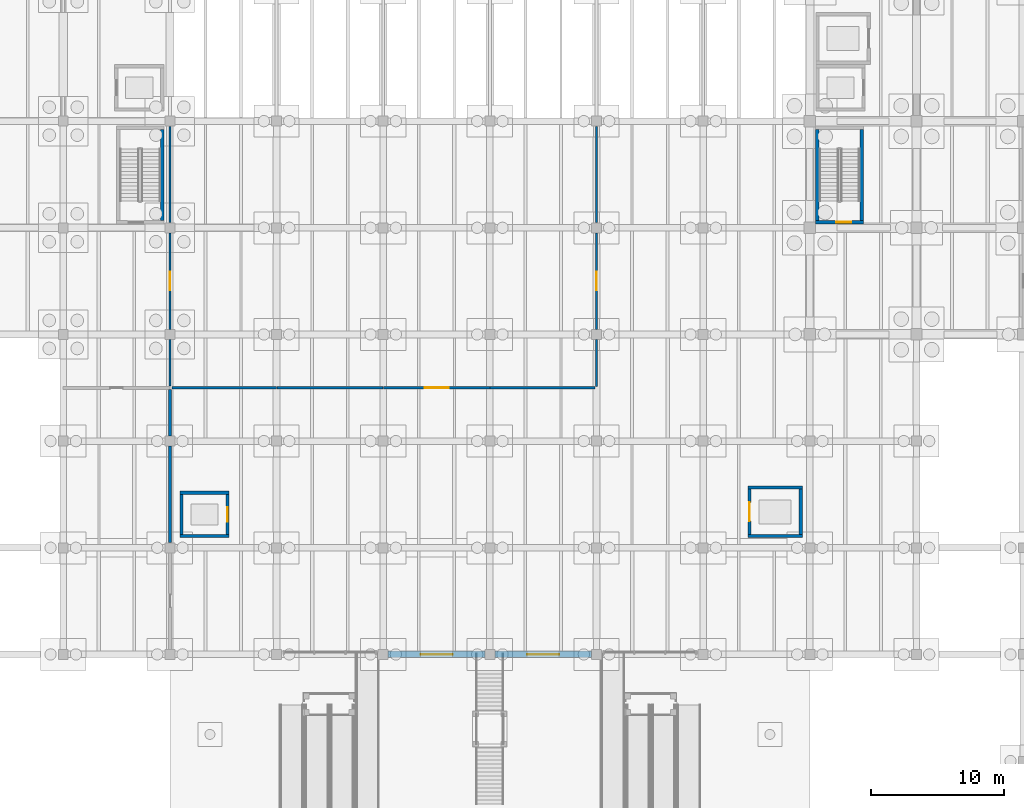
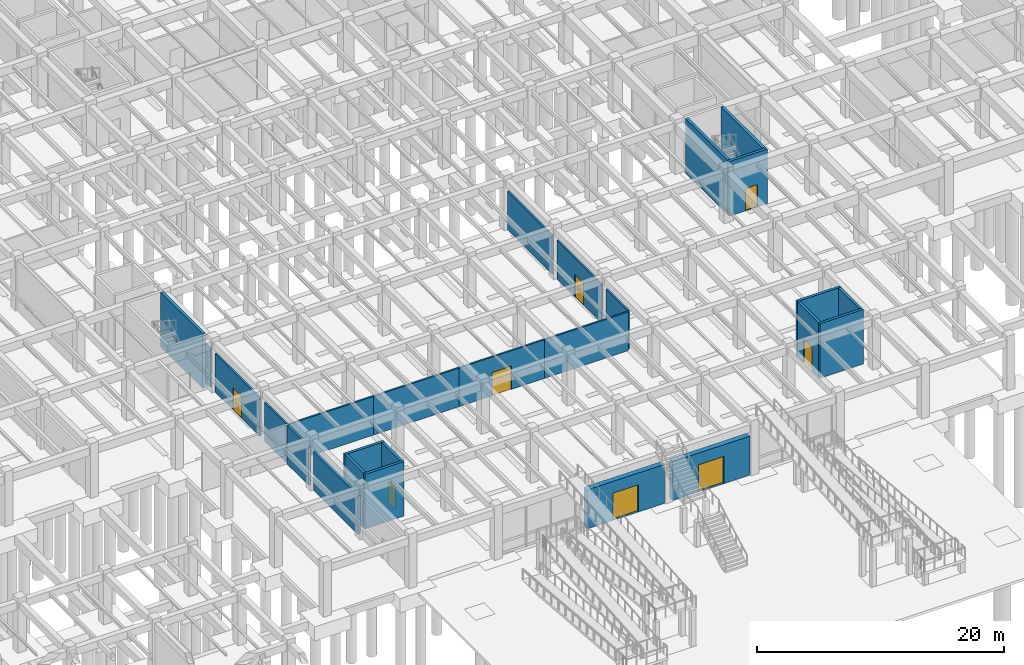
# One storey, part 25 of 44: 26 walls, 8 doors, 8 openings.
"""IFC4 building model written with IfcOpenShell, lengths in metres."""

from ifc_helpers import new_model, si_unit, direction, frame, frame_2d, origin, place, context, subcontext, project, spatial, rectangle, extrude, material, layer, layer_set, type_object, element, fill, save


model = new_model("IFC4")

# Units and contexts
model_context = context("Model", 3, precision=1e-05, world=origin(), true_north=direction((0.0, 1.0)))
body_context = subcontext(model_context, "Body", "Model", "MODEL_VIEW")
ifc_project = project(units=[si_unit("LENGTHUNIT", "METRE"), si_unit("AREAUNIT", "SQUARE_METRE"), si_unit("VOLUMEUNIT", "CUBIC_METRE"), si_unit("PLANEANGLEUNIT", "RADIAN"), si_unit("MASSUNIT", "GRAM", prefix="KILO")], contexts=[model_context])

# Site, building, storey
site_placement = place(None, origin())
site = spatial("IfcSite", under=ifc_project, at=site_placement, CompositionType="ELEMENT")
building_placement = place(site_placement, origin())
building = spatial("IfcBuilding", under=site, at=building_placement, Name="Pecanmere Concourse Central Library", CompositionType="ELEMENT")
storey_placement = place(building_placement, frame((0.0, 0.0, -5.39990234375)))
storey = spatial("IfcBuildingStorey", under=building, at=storey_placement, Name="B1", CompositionType="ELEMENT", Elevation=-5.39990234375)

# Wall, opening, door
ifc_material_1 = material(Name="Texas sunset granite ashlar", Category="masonry")
ifc_layer_1 = layer(ifc_material_1, 0.47998046875, Name="EW_GRAN_480")
ifc_layer_set_1 = layer_set([ifc_layer_1], Name="Texas sunset granite ashlar")
wall_type_1 = type_object("IfcWallType", Name="EW_GRAN_480", PredefinedType="STANDARD", material=ifc_layer_set_1)
wall_1_placement = place(storey_placement, frame((80.3701171875, 24.0, 0.0), z_axis=(0.0, 0.0, 1.0), x_axis=(1.0, 0.0, 0.0)))
wall_1 = element("IfcWall", 1, at=wall_1_placement, inside=storey, type_object=wall_type_1, Name="Limestone Facade Wall B1-0004", PredefinedType="STANDARD", context=body_context, shape_type="SweptSolid", body=[
    extrude(rectangle(XDim=7.259765625, YDim=0.47998046875, at=frame_2d((3.6298828125, 0.0))), origin(), (0.0, 0.0, 1.0), 3.85986328125),
])
opening_1_placement = place(wall_1_placement, frame((2.429931640625, 0.0, 0.0)))
opening_1 = element("IfcOpeningElement", 2, at=opening_1_placement, cuts=wall_1, Name="Opening ED-01", PredefinedType="OPENING", context=body_context, shape_type="SweptSolid", body=[
    extrude(rectangle(XDim=2.39990234375, YDim=2.699951171875, at=frame_2d((1.199951171875, 1.35009765625))), frame((0.0, 0.251953125, 0.0), z_axis=(0.0, -1.0, 0.0), x_axis=(1.0, 0.0, 0.0)), (0.0, 0.0, 1.0), 0.50390625),
])
ifc_material_2 = material(Name="Architectural anodized bronze")
door_type_1 = type_object("IfcDoorType", Name="ED-01", OperationType="DOUBLE_DOOR_SINGLE_SWING", PredefinedType="DOOR", material=ifc_material_2)
door_1_placement = place(opening_1_placement, frame((2.39990234375, 0.0, 0.0), z_axis=(0.0, 0.0, 1.0), x_axis=(-1.0, 0.0, 0.0)))
door_1 = element("IfcDoor", 3, at=door_1_placement, inside=storey, type_object=door_type_1, Name="ED-004", OperationType="DOUBLE_DOOR_SINGLE_SWING", OverallHeight=2.699951171875, OverallWidth=2.39990234375, PredefinedType="DOOR", context=body_context, shape_type="SweptSolid", body=[
    extrude(rectangle(XDim=2.39990234375, YDim=2.699951171875, at=frame_2d((1.199951171875, 1.35009765625))), frame((0.0, 0.02490234375, 0.0), z_axis=(0.0, -1.0, 0.0), x_axis=(1.0, 0.0, 0.0)), (0.0, 0.0, 1.0), 0.050048828125),
])
fill(opening_1, door_1)

wall_2_placement = place(storey_placement, frame((88.3701171875, 24.0, 0.0), z_axis=(0.0, 0.0, 1.0), x_axis=(1.0, 0.0, 0.0)))
wall_2 = element("IfcWall", 4, at=wall_2_placement, inside=storey, type_object=wall_type_1, Name="Limestone Facade Wall B1-0005", PredefinedType="STANDARD", context=body_context, shape_type="SweptSolid", body=[
    extrude(rectangle(XDim=7.259765625, YDim=0.47998046875, at=frame_2d((3.6298828125, 0.0))), origin(), (0.0, 0.0, 1.0), 3.85986328125),
])
opening_2_placement = place(wall_2_placement, frame((2.429931640625, 0.0, 0.0)))
opening_2 = element("IfcOpeningElement", 5, at=opening_2_placement, cuts=wall_2, Name="Opening ED-01", PredefinedType="OPENING", context=body_context, shape_type="SweptSolid", body=[
    extrude(rectangle(XDim=2.39990234375, YDim=2.699951171875, at=frame_2d((1.199951171875, 1.35009765625))), frame((0.0, 0.251953125, 0.0), z_axis=(0.0, -1.0, 0.0), x_axis=(1.0, 0.0, 0.0)), (0.0, 0.0, 1.0), 0.50390625),
])
door_2_placement = place(opening_2_placement, frame((2.39990234375, 0.0, 0.0), z_axis=(0.0, 0.0, 1.0), x_axis=(-1.0, 0.0, 0.0)))
door_2 = element("IfcDoor", 6, at=door_2_placement, inside=storey, type_object=door_type_1, Name="ED-005", OperationType="DOUBLE_DOOR_SINGLE_SWING", OverallHeight=2.699951171875, OverallWidth=2.39990234375, PredefinedType="DOOR", context=body_context, shape_type="SweptSolid", body=[
    extrude(rectangle(XDim=2.39990234375, YDim=2.699951171875, at=frame_2d((1.199951171875, 1.35009765625))), frame((0.0, 0.02490234375, 0.0), z_axis=(0.0, -1.0, 0.0), x_axis=(1.0, 0.0, 0.0)), (0.0, 0.0, 1.0), 0.050048828125),
])
fill(opening_2, door_2)

# Walls
ifc_material_3 = material(Name="Fire-rated gypsum board on acoustic steel stud", Category="steel")
ifc_layer_2 = layer(ifc_material_3, 0.159912109375, Name="IW_PART_160")
ifc_layer_set_2 = layer_set([ifc_layer_2], Name="Fire-rated gypsum board on acoustic steel stud")
wall_type_2 = type_object("IfcWallType", Name="IW_PART_160", PredefinedType="PARTITIONING", material=ifc_layer_set_2)
wall_3_placement = place(storey_placement, frame((64.139892578125, 44.0, 0.0), z_axis=(0.0, 0.0, 1.0), x_axis=(1.0, 0.0, 0.0)))
element("IfcWall", 7, at=wall_3_placement, inside=storey, type_object=wall_type_2, Name="Interior Partition B1-0050", PredefinedType="PARTITIONING", context=body_context, shape_type="SweptSolid", body=[
    extrude(rectangle(XDim=7.860107421875, YDim=0.159912109375, at=frame_2d((3.93017578125, 0.0))), origin(), (0.0, 0.0, 1.0), 3.829833984375),
])
wall_4_placement = place(storey_placement, frame((72.02001953125, 44.0, 0.0), z_axis=(0.0, 0.0, 1.0), x_axis=(1.0, 0.0, 0.0)))
element("IfcWall", 8, at=wall_4_placement, inside=storey, type_object=wall_type_2, Name="Interior Partition B1-0051", PredefinedType="PARTITIONING", context=body_context, shape_type="SweptSolid", body=[
    extrude(rectangle(XDim=7.97998046875, YDim=0.159912109375, at=frame_2d((3.989990234375, 0.0))), origin(), (0.0, 0.0, 1.0), 3.829833984375),
])

# Wall, opening, door
wall_5_placement = place(storey_placement, frame((80.02001953125, 44.0, 0.0), z_axis=(0.0, 0.0, 1.0), x_axis=(1.0, 0.0, 0.0)))
wall_5 = element("IfcWall", 9, at=wall_5_placement, inside=storey, type_object=wall_type_2, Name="Interior Partition B1-0052", PredefinedType="PARTITIONING", context=body_context, shape_type="SweptSolid", body=[
    extrude(rectangle(XDim=7.97998046875, YDim=0.159912109375, at=frame_2d((3.989990234375, 0.0))), origin(), (0.0, 0.0, 1.0), 3.829833984375),
])
opening_3_placement = place(wall_5_placement, frame((3.090087890625, 0.0, 0.0)))
opening_3 = element("IfcOpeningElement", 10, at=opening_3_placement, cuts=wall_5, Name="Opening DT-01", PredefinedType="OPENING", context=body_context, shape_type="SweptSolid", body=[
    extrude(rectangle(XDim=1.800048828125, YDim=2.300048828125, at=frame_2d((0.89990234375, 1.14990234375))), frame((0.0, 0.091796875, 0.0), z_axis=(0.0, -1.0, 0.0), x_axis=(1.0, 0.0, 0.0)), (0.0, 0.0, 1.0), 0.183837890625),
])
ifc_material_4 = material(Name="Solid white oak architectural joinery")
door_type_2 = type_object("IfcDoorType", Name="DT-01", OperationType="DOUBLE_DOOR_SINGLE_SWING", PredefinedType="DOOR", material=ifc_material_4)
door_3_placement = place(opening_3_placement, origin())
door_3 = element("IfcDoor", 11, at=door_3_placement, inside=storey, type_object=door_type_2, Name="D-142", OperationType="DOUBLE_DOOR_SINGLE_SWING", OverallHeight=2.300048828125, OverallWidth=1.800048828125, PredefinedType="DOOR", context=body_context, shape_type="SweptSolid", body=[
    extrude(rectangle(XDim=1.800048828125, YDim=2.300048828125, at=frame_2d((0.89990234375, 1.14990234375))), frame((0.0, 0.02490234375, 0.0), z_axis=(0.0, -1.0, 0.0), x_axis=(1.0, 0.0, 0.0)), (0.0, 0.0, 1.0), 0.050048828125),
])
fill(opening_3, door_3)

# Walls
wall_6_placement = place(storey_placement, frame((88.02001953125, 44.0, 0.0), z_axis=(0.0, 0.0, 1.0), x_axis=(1.0, 0.0, 0.0)))
element("IfcWall", 12, at=wall_6_placement, inside=storey, type_object=wall_type_2, Name="Interior Partition B1-0053", PredefinedType="PARTITIONING", context=body_context, shape_type="SweptSolid", body=[
    extrude(rectangle(XDim=7.85986328125, YDim=0.159912109375, at=frame_2d((3.929931640625, 0.0))), origin(), (0.0, 0.0, 1.0), 3.829833984375),
])
wall_7_placement = place(storey_placement, frame((64.0, 44.139892578125, 0.0), z_axis=(0.0, 0.0, 1.0), x_axis=(0.0, 1.0, 0.0)))
element("IfcWall", 13, at=wall_7_placement, inside=storey, type_object=wall_type_2, Name="Interior Partition B1-0054", PredefinedType="PARTITIONING", context=body_context, shape_type="SweptSolid", body=[
    extrude(rectangle(XDim=3.47509765625, YDim=0.159912109375, at=frame_2d((1.737548828125, 0.0))), origin(), (0.0, 0.0, 1.0), 3.829833984375),
])

# Wall, opening, door
wall_8_placement = place(storey_placement, frame((64.0, 48.385009765625, 0.0), z_axis=(0.0, 0.0, 1.0), x_axis=(0.0, 1.0, 0.0)))
wall_8 = element("IfcWall", 14, at=wall_8_placement, inside=storey, type_object=wall_type_2, Name="Interior Partition B1-0055", PredefinedType="PARTITIONING", context=body_context, shape_type="SweptSolid", body=[
    extrude(rectangle(XDim=7.22998046875, YDim=0.159912109375, at=frame_2d((3.614990234375, 0.0))), origin(), (0.0, 0.0, 1.0), 3.829833984375),
])
opening_4_placement = place(wall_8_placement, frame((2.9150390625, 0.0, 0.0)))
opening_4 = element("IfcOpeningElement", 15, at=opening_4_placement, cuts=wall_8, Name="Opening FD-05", PredefinedType="OPENING", context=body_context, shape_type="SweptSolid", body=[
    extrude(rectangle(XDim=1.39990234375, YDim=2.199951171875, at=frame_2d((0.699951171875, 1.10009765625))), frame((0.0, 0.091796875, 0.0), z_axis=(0.0, -1.0, 0.0), x_axis=(1.0, 0.0, 0.0)), (0.0, 0.0, 1.0), 0.183837890625),
])
ifc_material_5 = material(Name="Painted architectural steel ASTM A36", Category="steel")
door_type_3 = type_object("IfcDoorType", Name="FD-05", OperationType="DOUBLE_DOOR_SINGLE_SWING", PredefinedType="DOOR", material=ifc_material_5)
door_4_placement = place(opening_4_placement, frame((1.39990234375, 0.0, 0.0), z_axis=(0.0, 0.0, 1.0), x_axis=(-1.0, 0.0, 0.0)))
door_4 = element("IfcDoor", 16, at=door_4_placement, inside=storey, type_object=door_type_3, Name="D-143", OperationType="DOUBLE_DOOR_SINGLE_SWING", OverallHeight=2.199951171875, OverallWidth=1.39990234375, PredefinedType="DOOR", context=body_context, shape_type="SweptSolid", body=[
    extrude(rectangle(XDim=1.39990234375, YDim=2.199951171875, at=frame_2d((0.699951171875, 1.10009765625))), frame((0.0, 0.02490234375, 0.0), z_axis=(0.0, -1.0, 0.0), x_axis=(1.0, 0.0, 0.0)), (0.0, 0.0, 1.0), 0.050048828125),
])
fill(opening_4, door_4)

# Walls
wall_9_placement = place(storey_placement, frame((64.0, 56.385009765625, 0.0), z_axis=(0.0, 0.0, 1.0), x_axis=(0.0, 1.0, 0.0)))
element("IfcWall", 17, at=wall_9_placement, inside=storey, type_object=wall_type_2, Name="Interior Partition B1-0056", PredefinedType="PARTITIONING", context=body_context, shape_type="SweptSolid", body=[
    extrude(rectangle(XDim=7.22998046875, YDim=0.159912109375, at=frame_2d((3.614990234375, 0.0))), origin(), (0.0, 0.0, 1.0), 3.829833984375),
])
wall_10_placement = place(storey_placement, frame((96.0, 44.090087890625, 0.0), z_axis=(0.0, 0.0, 1.0), x_axis=(0.0, 1.0, 0.0)))
element("IfcWall", 18, at=wall_10_placement, inside=storey, type_object=wall_type_2, Name="Interior Partition B1-0057", PredefinedType="PARTITIONING", context=body_context, shape_type="SweptSolid", body=[
    extrude(rectangle(XDim=3.52490234375, YDim=0.159912109375, at=frame_2d((1.762451171875, 0.0))), origin(), (0.0, 0.0, 1.0), 3.829833984375),
])

# Wall, opening, door
wall_11_placement = place(storey_placement, frame((96.0, 48.385009765625, 0.0), z_axis=(0.0, 0.0, 1.0), x_axis=(0.0, 1.0, 0.0)))
wall_11 = element("IfcWall", 19, at=wall_11_placement, inside=storey, type_object=wall_type_2, Name="Interior Partition B1-0058", PredefinedType="PARTITIONING", context=body_context, shape_type="SweptSolid", body=[
    extrude(rectangle(XDim=7.22998046875, YDim=0.159912109375, at=frame_2d((3.614990234375, 0.0))), origin(), (0.0, 0.0, 1.0), 3.829833984375),
])
opening_5_placement = place(wall_11_placement, frame((2.9150390625, 0.0, 0.0)))
opening_5 = element("IfcOpeningElement", 20, at=opening_5_placement, cuts=wall_11, Name="Opening FD-05", PredefinedType="OPENING", context=body_context, shape_type="SweptSolid", body=[
    extrude(rectangle(XDim=1.39990234375, YDim=2.199951171875, at=frame_2d((0.699951171875, 1.10009765625))), frame((0.0, 0.091796875, 0.0), z_axis=(0.0, -1.0, 0.0), x_axis=(1.0, 0.0, 0.0)), (0.0, 0.0, 1.0), 0.183837890625),
])
door_5_placement = place(opening_5_placement, origin())
door_5 = element("IfcDoor", 21, at=door_5_placement, inside=storey, type_object=door_type_3, Name="D-144", OperationType="DOUBLE_DOOR_SINGLE_SWING", OverallHeight=2.199951171875, OverallWidth=1.39990234375, PredefinedType="DOOR", context=body_context, shape_type="SweptSolid", body=[
    extrude(rectangle(XDim=1.39990234375, YDim=2.199951171875, at=frame_2d((0.699951171875, 1.10009765625))), frame((0.0, 0.02490234375, 0.0), z_axis=(0.0, -1.0, 0.0), x_axis=(1.0, 0.0, 0.0)), (0.0, 0.0, 1.0), 0.050048828125),
])
fill(opening_5, door_5)

# Walls
wall_12_placement = place(storey_placement, frame((96.0, 56.385009765625, 0.0), z_axis=(0.0, 0.0, 1.0), x_axis=(0.0, 1.0, 0.0)))
element("IfcWall", 22, at=wall_12_placement, inside=storey, type_object=wall_type_2, Name="Interior Partition B1-0059", PredefinedType="PARTITIONING", context=body_context, shape_type="SweptSolid", body=[
    extrude(rectangle(XDim=7.22998046875, YDim=0.159912109375, at=frame_2d((3.614990234375, 0.0))), origin(), (0.0, 0.0, 1.0), 3.829833984375),
])
ifc_material_6 = material(Name="Concrete masonry unit ASTM C90", Category="masonry")
ifc_layer_3 = layer(ifc_material_6, 0.22509765625, Name="IW_PLUMB_225")
ifc_layer_set_3 = layer_set([ifc_layer_3], Name="Concrete masonry unit ASTM C90")
wall_type_3 = type_object("IfcWallType", Name="IW_PLUMB_225", PredefinedType="PARTITIONING", material=ifc_layer_set_3)
wall_13_placement = place(storey_placement, frame((64.0, 32.385009765625, 0.0), z_axis=(0.0, 0.0, 1.0), x_axis=(0.0, 1.0, 0.0)))
element("IfcWall", 23, at=wall_13_placement, inside=storey, type_object=wall_type_3, Name="Interior Partition B1-0048", PredefinedType="PARTITIONING", context=body_context, shape_type="SweptSolid", body=[
    extrude(rectangle(XDim=7.22998046875, YDim=0.22509765625, at=frame_2d((3.614990234375, 0.0))), origin(), (0.0, 0.0, 1.0), 3.829833984375),
])
wall_14_placement = place(storey_placement, frame((64.0, 40.385009765625, 0.0), z_axis=(0.0, 0.0, 1.0), x_axis=(0.0, 1.0, 0.0)))
element("IfcWall", 24, at=wall_14_placement, inside=storey, type_object=wall_type_3, Name="Interior Partition B1-0049", PredefinedType="PARTITIONING", context=body_context, shape_type="SweptSolid", body=[
    extrude(rectangle(XDim=3.47509765625, YDim=0.22509765625, at=frame_2d((1.737548828125, 0.0))), origin(), (0.0, 0.0, 1.0), 3.829833984375),
])
ifc_material_7 = material(Name="Concrete C40/50", Category="concrete")
ifc_layer_4 = layer(ifc_material_7, 0.239990234375, Name="WALL_SLD_240")
ifc_layer_set_4 = layer_set([ifc_layer_4], Name="Concrete C40/50")
wall_type_4 = type_object("IfcWallType", Name="WALL_SLD_240", PredefinedType="SOLIDWALL", material=ifc_layer_set_4)
for number, where, z_axis, x_axis, name in (
    (25, (64.760009765625, 32.8798828125, 0.0), (0.0, 0.0, 1.0), (1.0, 0.0, 0.0), "Hoistway Wall LP-05 B1-S"),
    (26, (64.760009765625, 36.1201171875, 0.0), (0.0, 0.0, 1.0), (1.0, 0.0, 0.0), "Hoistway Wall LP-05 B1-N"),
):
    element("IfcWall", number, at=place(storey_placement, frame(where, z_axis=z_axis, x_axis=x_axis)), inside=storey, type_object=wall_type_4, Name=name, PredefinedType="SOLIDWALL", context=body_context, shape_type="SweptSolid", body=[
        extrude(rectangle(XDim=3.679931640625, YDim=0.239990234375, at=frame_2d((1.83984375, 0.0))), origin(), (0.0, 0.0, 1.0), 5.39990234375),
    ])
wall_15_placement = place(storey_placement, frame((64.8798828125, 33.0, 0.0), z_axis=(0.0, 0.0, 1.0), x_axis=(0.0, 1.0, 0.0)))
element("IfcWall", 27, at=wall_15_placement, inside=storey, type_object=wall_type_4, Name="Hoistway Wall LP-05 B1-W", PredefinedType="SOLIDWALL", context=body_context, shape_type="SweptSolid", body=[
    extrude(rectangle(XDim=3.0, YDim=0.239990234375, at=frame_2d((1.5, 0.0))), origin(), (0.0, 0.0, 1.0), 5.39990234375),
])

# Wall, opening, door
wall_16_placement = place(storey_placement, frame((68.320068359375, 33.0, 0.0), z_axis=(0.0, 0.0, 1.0), x_axis=(0.0, 1.0, 0.0)))
wall_16 = element("IfcWall", 28, at=wall_16_placement, inside=storey, type_object=wall_type_4, Name="Hoistway Wall LP-05 B1-E", PredefinedType="SOLIDWALL", context=body_context, shape_type="SweptSolid", body=[
    extrude(rectangle(XDim=3.0, YDim=0.239990234375, at=frame_2d((1.5, 0.0))), origin(), (0.0, 0.0, 1.0), 5.39990234375),
])
opening_6_placement = place(wall_16_placement, frame((0.949951171875, 0.0, 0.0)))
opening_6 = element("IfcOpeningElement", 29, at=opening_6_placement, cuts=wall_16, Name="Opening LD-01", PredefinedType="OPENING", context=body_context, shape_type="SweptSolid", body=[
    extrude(rectangle(XDim=1.10009765625, YDim=2.199951171875, at=frame_2d((0.550048828125, 1.10009765625))), frame((0.0, 0.1318359375, 0.0), z_axis=(0.0, -1.0, 0.0), x_axis=(1.0, 0.0, 0.0)), (0.0, 0.0, 1.0), 0.263916015625),
])
ifc_material_8 = material(Name="Brushed stainless steel Grade 316", Category="steel")
door_type_4 = type_object("IfcDoorType", Name="LD-01", OperationType="DOUBLE_DOOR_SLIDING", PredefinedType="DOOR", material=ifc_material_8)
door_6_placement = place(opening_6_placement, origin())
door_6 = element("IfcDoor", 30, at=door_6_placement, inside=storey, type_object=door_type_4, Name="LD-LP-05-B1", OperationType="DOUBLE_DOOR_SLIDING", OverallHeight=2.199951171875, OverallWidth=1.10009765625, PredefinedType="DOOR", context=body_context, shape_type="SweptSolid", body=[
    extrude(rectangle(XDim=1.10009765625, YDim=2.199951171875, at=frame_2d((0.550048828125, 1.10009765625))), frame((0.0, 0.02490234375, 0.0), z_axis=(0.0, -1.0, 0.0), x_axis=(1.0, 0.0, 0.0)), (0.0, 0.0, 1.0), 0.050048828125),
])
fill(opening_6, door_6)

# Walls
for number, where, z_axis, x_axis, name in (
    (31, (107.360107421875, 32.8798828125, 0.0), (0.0, 0.0, 1.0), (1.0, 0.0, 0.0), "Hoistway Wall LS-02 B1-S"),
    (32, (107.360107421875, 36.52001953125, 0.0), (0.0, 0.0, 1.0), (1.0, 0.0, 0.0), "Hoistway Wall LS-02 B1-N"),
):
    element("IfcWall", number, at=place(storey_placement, frame(where, z_axis=z_axis, x_axis=x_axis)), inside=storey, type_object=wall_type_4, Name=name, PredefinedType="SOLIDWALL", context=body_context, shape_type="SweptSolid", body=[
        extrude(rectangle(XDim=4.079833984375, YDim=0.239990234375, at=frame_2d((2.0400390625, 0.0))), origin(), (0.0, 0.0, 1.0), 5.39990234375),
    ])

# Wall, opening, door
wall_17_placement = place(storey_placement, frame((107.47998046875, 33.0, 0.0), z_axis=(0.0, 0.0, 1.0), x_axis=(0.0, 1.0, 0.0)))
wall_17 = element("IfcWall", 33, at=wall_17_placement, inside=storey, type_object=wall_type_4, Name="Hoistway Wall LS-02 B1-W", PredefinedType="SOLIDWALL", context=body_context, shape_type="SweptSolid", body=[
    extrude(rectangle(XDim=3.39990234375, YDim=0.239990234375, at=frame_2d((1.699951171875, 0.0))), origin(), (0.0, 0.0, 1.0), 5.39990234375),
])
opening_7_placement = place(wall_17_placement, frame((1.0, 0.0, 0.0)))
opening_7 = element("IfcOpeningElement", 34, at=opening_7_placement, cuts=wall_17, Name="Opening LD-03", PredefinedType="OPENING", context=body_context, shape_type="SweptSolid", body=[
    extrude(rectangle(XDim=1.39990234375, YDim=2.300048828125, at=frame_2d((0.699951171875, 1.14990234375))), frame((0.0, 0.1318359375, 0.0), z_axis=(0.0, -1.0, 0.0), x_axis=(1.0, 0.0, 0.0)), (0.0, 0.0, 1.0), 0.263916015625),
])
ifc_material_9 = material(Name="Brushed stainless steel Grade 316", Category="steel")
door_type_5 = type_object("IfcDoorType", Name="LD-03", OperationType="DOUBLE_DOOR_SLIDING", PredefinedType="DOOR", material=ifc_material_9)
door_7_placement = place(opening_7_placement, origin())
door_7 = element("IfcDoor", 35, at=door_7_placement, inside=storey, type_object=door_type_5, Name="LD-LS-02-B1", OperationType="DOUBLE_DOOR_SLIDING", OverallHeight=2.300048828125, OverallWidth=1.39990234375, PredefinedType="DOOR", context=body_context, shape_type="SweptSolid", body=[
    extrude(rectangle(XDim=1.39990234375, YDim=2.300048828125, at=frame_2d((0.699951171875, 1.14990234375))), frame((0.0, 0.02490234375, 0.0), z_axis=(0.0, -1.0, 0.0), x_axis=(1.0, 0.0, 0.0)), (0.0, 0.0, 1.0), 0.050048828125),
])
fill(opening_7, door_7)

# Wall
wall_18_placement = place(storey_placement, frame((111.320068359375, 33.0, 0.0), z_axis=(0.0, 0.0, 1.0), x_axis=(0.0, 1.0, 0.0)))
element("IfcWall", 36, at=wall_18_placement, inside=storey, type_object=wall_type_4, Name="Hoistway Wall LS-02 B1-E", PredefinedType="SOLIDWALL", context=body_context, shape_type="SweptSolid", body=[
    extrude(rectangle(XDim=3.39990234375, YDim=0.239990234375, at=frame_2d((1.699951171875, 0.0))), origin(), (0.0, 0.0, 1.0), 5.39990234375),
])

# Wall, opening, door
ifc_material_10 = material(Name="Concrete C40/50", Category="concrete")
ifc_layer_5 = layer(ifc_material_10, 0.260009765625, Name="WALL_SLD_260")
ifc_layer_set_5 = layer_set([ifc_layer_5], Name="Concrete C40/50")
wall_type_5 = type_object("IfcWallType", Name="WALL_SLD_260", PredefinedType="SOLIDWALL", material=ifc_layer_set_5)
wall_19_placement = place(storey_placement, frame((112.43994140625, 56.419921875, 0.0), z_axis=(0.0, 0.0, 1.0), x_axis=(1.0, 0.0, 0.0)))
wall_19 = element("IfcWall", 37, at=wall_19_placement, inside=storey, type_object=wall_type_5, Name="Core C5 South Wall B1", PredefinedType="SOLIDWALL", context=body_context, shape_type="SweptSolid", body=[
    extrude(rectangle(XDim=3.580078125, YDim=0.260009765625, at=frame_2d((1.7900390625, 0.0))), origin(), (0.0, 0.0, 1.0), 5.39990234375),
])
opening_8_placement = place(wall_19_placement, frame((1.56005859375, 0.0, 0.0)))
opening_8 = element("IfcOpeningElement", 38, at=opening_8_placement, cuts=wall_19, Name="Opening FD-02", PredefinedType="OPENING", context=body_context, shape_type="SweptSolid", body=[
    extrude(rectangle(XDim=1.10009765625, YDim=2.199951171875, at=frame_2d((0.550048828125, 1.10009765625))), frame((0.0, 0.14208984375, 0.0), z_axis=(0.0, -1.0, 0.0), x_axis=(1.0, 0.0, 0.0)), (0.0, 0.0, 1.0), 0.283935546875),
])
ifc_material_11 = material(Name="Painted architectural steel ASTM A36", Category="steel")
door_type_6 = type_object("IfcDoorType", Name="FD-02", OperationType="SINGLE_SWING_RIGHT", PredefinedType="DOOR", material=ifc_material_11)
door_8_placement = place(opening_8_placement, origin())
door_8 = element("IfcDoor", 39, at=door_8_placement, inside=storey, type_object=door_type_6, Name="D-033", OperationType="SINGLE_SWING_RIGHT", OverallHeight=2.199951171875, OverallWidth=1.10009765625, PredefinedType="DOOR", context=body_context, shape_type="SweptSolid", body=[
    extrude(rectangle(XDim=1.10009765625, YDim=2.199951171875, at=frame_2d((0.550048828125, 1.10009765625))), frame((0.0, 0.02490234375, 0.0), z_axis=(0.0, -1.0, 0.0), x_axis=(1.0, 0.0, 0.0)), (0.0, 0.0, 1.0), 0.050048828125),
])
fill(opening_8, door_8)

# Walls
for number, where, z_axis, x_axis, name in (
    (40, (112.570068359375, 56.550048828125, 0.0), (0.0, 0.0, 1.0), (0.0, 1.0, 0.0), "Core C5 W Wall B1"),
    (41, (115.889892578125, 56.550048828125, 0.0), (0.0, 0.0, 1.0), (0.0, 1.0, 0.0), "Core C5 E Wall B1"),
    (42, (63.429931640625, 56.550048828125, 0.0), (0.0, 0.0, 1.0), (0.0, 1.0, 0.0), "Core C6 E Wall B1"),
):
    element("IfcWall", number, at=place(storey_placement, frame(where, z_axis=z_axis, x_axis=x_axis)), inside=storey, type_object=wall_type_5, Name=name, PredefinedType="SOLIDWALL", context=body_context, shape_type="SweptSolid", body=[
        extrude(rectangle(XDim=6.820068359375, YDim=0.260009765625, at=frame_2d((3.41015625, 0.0))), origin(), (0.0, 0.0, 1.0), 5.39990234375),
    ])

save(model, "model.ifc")
